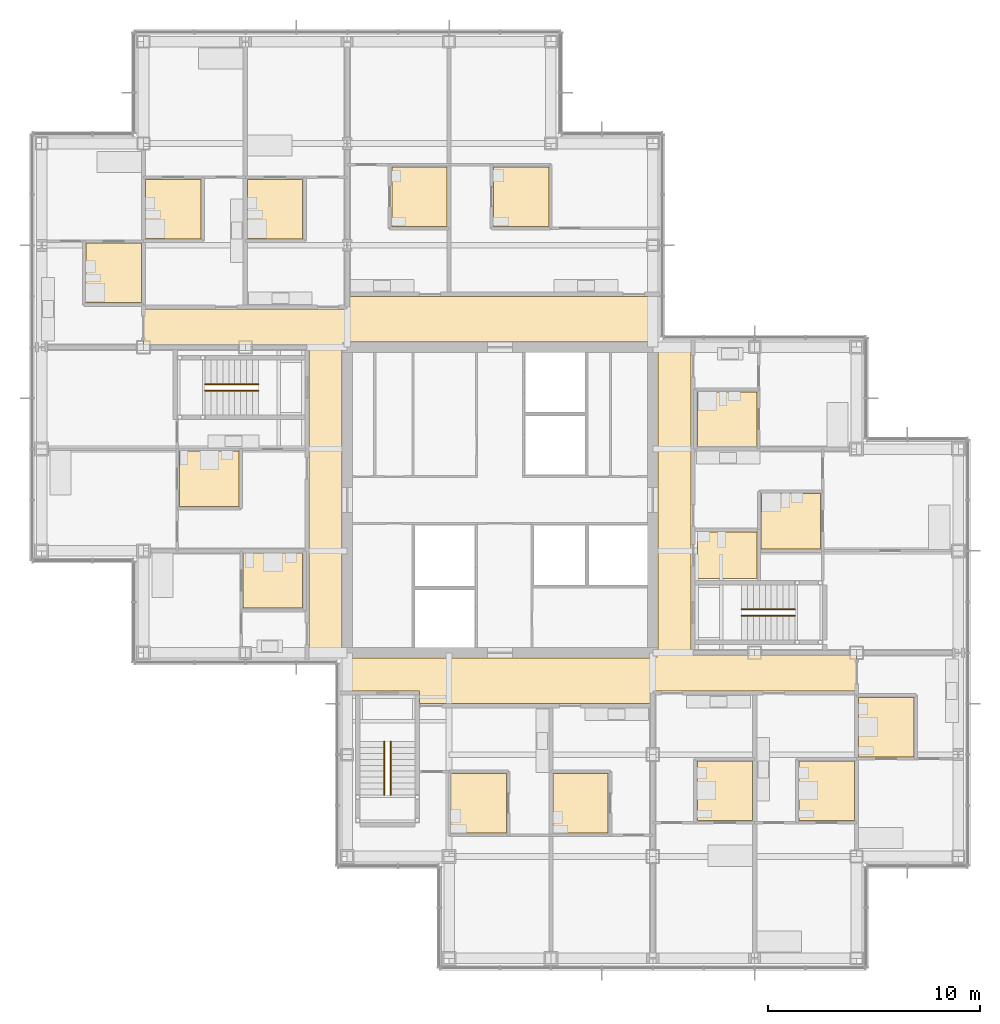
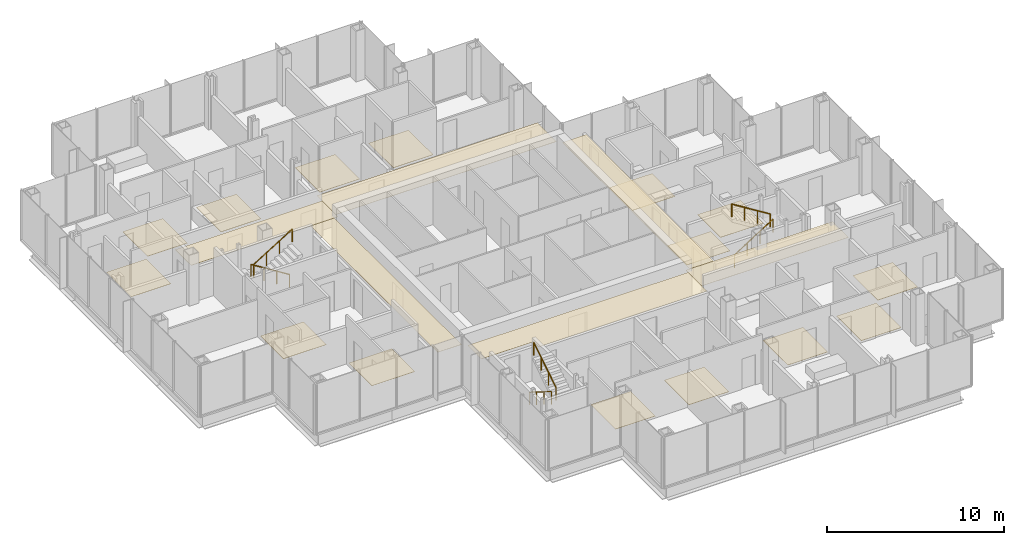
# One storey, part 18 of 20: 21 coverings, 6 railings.
"""IFC4 building model written with IfcOpenShell, lengths in metres."""

import ifcopenshell
import ifcopenshell.guid

model = None  # the IFC model being written
_history = None  # IfcOwnerHistory: only IFC2X3 demands one
_inside = {}  # id of a spatial element -> (the spatial element, [elements in it])
_under = {}  # id of a project, library or spatial element -> (it, [spatial elements below it])
_declared = {}  # id of a project -> (the project, [libraries it declares])
_typed = {}  # id of a type object -> (the type object, [elements of that type])
_made_of = {}  # id of a material, layer set ... -> (it, [elements and type objects made of it])


def new_model(schema):
    """Start an empty IFC model of exactly this schema.

    Asked for "IFC4X3", IfcOpenShell would pick the latest addendum, in which some entities
    have other attributes; the version numbers below select the first issue.
    IFC2X3 requires an IfcOwnerHistory on every rooted entity: one is made here for all.
    """
    global model, _history
    if schema == "IFC4X3":
        model = ifcopenshell.file(schema_version=(4, 3, 0, 0))
    else:
        model = ifcopenshell.file(schema=schema)
    _inside.clear()
    _under.clear()
    _declared.clear()
    _typed.clear()
    _made_of.clear()
    _history = None
    if model.schema == "IFC2X3":
        org = make("IfcOrganization", Name="unknown")
        user = make(
            "IfcPersonAndOrganization",
            ThePerson=make("IfcPerson", FamilyName="unknown"),
            TheOrganization=org,
        )
        app = make(
            "IfcApplication",
            ApplicationDeveloper=org,
            Version="unknown",
            ApplicationFullName="unknown",
            ApplicationIdentifier="unknown",
        )
        _history = make(
            "IfcOwnerHistory",
            OwningUser=user,
            OwningApplication=app,
            ChangeAction="ADDED",
            CreationDate=0,
        )
    return model


def make(cls, **values):
    """One entity of the class cls with the attributes given. An attribute that is None is left unset."""
    return model.create_entity(
        cls, **{name: value for name, value in values.items() if value is not None}
    )


def rooted(cls, **values):
    """An entity with a GlobalId (a new one), such as an element, a storey or a relation."""
    return make(cls, GlobalId=ifcopenshell.guid.new(), OwnerHistory=_history, **values)


def si_unit(unit_type, name, prefix=None):
    """IfcSIUnit, for example si_unit("LENGTHUNIT", "METRE", prefix="MILLI")."""
    return make("IfcSIUnit", UnitType=unit_type, Prefix=prefix, Name=name)


def assignment(units):
    """IfcUnitAssignment: the units of a project."""
    return None if units is None else make("IfcUnitAssignment", Units=units)


def point(xyz):
    """IfcCartesianPoint."""
    return None if xyz is None else make("IfcCartesianPoint", Coordinates=xyz)


def direction(xyz):
    """IfcDirection."""
    return None if xyz is None else make("IfcDirection", DirectionRatios=xyz)


def frame(location, z_axis=None, x_axis=None):
    """IfcAxis2Placement3D, a coordinate frame: its origin and axes. An axis left out is left unset."""
    return make(
        "IfcAxis2Placement3D",
        Location=point(location),
        Axis=direction(z_axis),
        RefDirection=direction(x_axis),
    )


def frame_2d(location, x_axis=None):
    """IfcAxis2Placement2D, a coordinate frame in the plane: its origin and x axis."""
    return make(
        "IfcAxis2Placement2D", Location=point(location), RefDirection=direction(x_axis)
    )


def origin():
    """The frame at (0, 0, 0) with its axes left unset."""
    return frame((0.0, 0.0, 0.0))


def origin_2d():
    """The frame at (0, 0) in the plane with its x axis left unset."""
    return frame_2d((0.0, 0.0))


def place(relative_to, where):
    """IfcLocalPlacement: puts the frame where relative to a parent placement (None: the world)."""
    return make(
        "IfcLocalPlacement", PlacementRelTo=relative_to, RelativePlacement=where
    )


def context(
    kind, dimensions, precision=None, world=None, true_north=None, identifier=None
):
    """IfcGeometricRepresentationContext, for example the 3D "Model" context."""
    return make(
        "IfcGeometricRepresentationContext",
        ContextIdentifier=identifier,
        ContextType=kind,
        CoordinateSpaceDimension=dimensions,
        Precision=precision,
        WorldCoordinateSystem=world,
        TrueNorth=true_north,
    )


def subcontext(parent, identifier, kind, view, scale=None):
    """IfcGeometricRepresentationSubContext, for example "Body" below "Model"."""
    return make(
        "IfcGeometricRepresentationSubContext",
        ContextIdentifier=identifier,
        ContextType=kind,
        ParentContext=parent,
        TargetScale=scale,
        TargetView=view,
    )


def project(units=None, contexts=None):
    """IfcProject with its units and contexts."""
    return rooted(
        "IfcProject",
        Name="project",
        RepresentationContexts=contexts,
        UnitsInContext=assignment(units),
    )


def spatial(cls, under=None, at=None, **own):
    """A site, building, storey or space (cls), placed at a placement, below another one or the project."""
    s = rooted(cls, ObjectPlacement=at, **own)
    if under is not None:
        _under.setdefault(under.id(), (under, []))[1].append(s)
    return s


def polyline(points):
    """IfcPolyline through the points."""
    return make("IfcPolyline", Points=[point(p) for p in points])


def profile(cls, at=None, kind="AREA", **sizes):
    """A parametric profile (cls). Its sizes go by their IFC names, for example OverallWidth=200.0."""
    return make(cls, ProfileType=kind, Position=at, **sizes)


def circle(**sizes):
    """IfcCircleProfileDef."""
    return profile("IfcCircleProfileDef", **sizes)


def outline(outer, holes=None, kind="AREA"):
    """IfcArbitraryClosedProfileDef: a profile drawn as a closed curve; with holes, ...WithVoids."""
    if holes is None:
        return make("IfcArbitraryClosedProfileDef", ProfileType=kind, OuterCurve=outer)
    return make(
        "IfcArbitraryProfileDefWithVoids",
        ProfileType=kind,
        OuterCurve=outer,
        InnerCurves=holes,
    )


def extrude(swept, where, along, depth):
    """IfcExtrudedAreaSolid: the profile swept, set in the frame where, extruded along a direction by depth."""
    return make(
        "IfcExtrudedAreaSolid",
        SweptArea=swept,
        Position=where,
        ExtrudedDirection=direction(along),
        Depth=depth,
    )


def shape(context_of_items, identifier, shape_type, items):
    """IfcShapeRepresentation: the items that make up one representation, for example the "Body"."""
    return make(
        "IfcShapeRepresentation",
        ContextOfItems=context_of_items,
        RepresentationIdentifier=identifier,
        RepresentationType=shape_type,
        Items=items,
    )


def material(Name=None, Category=None):
    """IfcMaterial."""
    return make("IfcMaterial", Name=Name, Category=Category)


def layer(
    of_material, thickness, ventilated=None, Name=None, Category=None, Priority=None
):
    """IfcMaterialLayer: one layer of a wall or slab, of a material (None: an air gap)."""
    return make(
        "IfcMaterialLayer",
        Material=of_material,
        LayerThickness=thickness,
        IsVentilated=ventilated,
        Name=Name,
        Category=Category,
        Priority=Priority,
    )


def layer_set(layers, Name=None):
    """IfcMaterialLayerSet."""
    return make("IfcMaterialLayerSet", MaterialLayers=layers, LayerSetName=Name)


def made_of(thing, what):
    """Note that an element or type object is made of a material, layer set ...; save() writes the relation."""
    if what is not None:
        _made_of.setdefault(what.id(), (what, []))[1].append(thing)
    return thing


def type_object(cls, material=None, **own):
    """A type object (cls), such as IfcWallType, which elements share."""
    return made_of(rooted(cls, **own), material)


def element(
    cls,
    number,
    at=None,
    inside=None,
    cuts=None,
    type_object=None,
    material=None,
    context=None,
    identifier="Body",
    shape_type=None,
    held_by="IfcProductDefinitionShape",
    body=None,
    shapes=None,
    **own,
):
    """One element of the class cls, such as IfcWall. Its Tag is "e" and its number.

    at: its placement. inside: the storey or other place that contains it. cuts: it is an
    opening in that element (IfcRelVoidsElement). A single representation is given by context,
    identifier, shape_type and body (its items); several are given by shapes. held_by: the class
    of the entity that holds the representations. save() writes the other relations.
    """
    e = rooted(cls, Tag="e%d" % number, ObjectPlacement=at, **own)
    if body is not None:
        shapes = [shape(context, identifier, shape_type, body)]
    if shapes is not None:
        e.Representation = make(held_by, Representations=shapes)
    if inside is not None:
        _inside.setdefault(inside.id(), (inside, []))[1].append(e)
    if cuts is not None:
        rooted(
            "IfcRelVoidsElement", RelatingBuildingElement=cuts, RelatedOpeningElement=e
        )
    if type_object is not None:
        _typed.setdefault(type_object.id(), (type_object, []))[1].append(e)
    return made_of(e, material)


def aggregate(whole, parts):
    """IfcRelAggregates: a whole, such as a stair, and the parts it consists of."""
    return rooted("IfcRelAggregates", RelatingObject=whole, RelatedObjects=parts)


def save(model, path):
    """Write the relations noted so far, then the file.

    IfcRelAggregates (storeys below a building ...), IfcRelContainedInSpatialStructure (elements
    in a storey), IfcRelDefinesByType, IfcRelAssociatesMaterial and IfcRelDeclares: one each for
    every whole, place, type object, material and project.
    """
    for whole, parts in _under.values():
        aggregate(whole, parts)
    for where, things in _inside.values():
        rooted(
            "IfcRelContainedInSpatialStructure",
            RelatedElements=things,
            RelatingStructure=where,
        )
    for kind, things in _typed.values():
        rooted("IfcRelDefinesByType", RelatedObjects=things, RelatingType=kind)
    for what, things in _made_of.values():
        rooted("IfcRelAssociatesMaterial", RelatedObjects=things, RelatingMaterial=what)
    for by, libraries in _declared.values():
        rooted("IfcRelDeclares", RelatingContext=by, RelatedDefinitions=libraries)
    model.write(path)


model = new_model("IFC4")

# Units and contexts
model_context = context("Model", 3, precision=1e-05, world=origin(), true_north=direction((0.0, 1.0)))
body_context = subcontext(model_context, "Body", "Model", "MODEL_VIEW")
ifc_project = project(units=[si_unit("LENGTHUNIT", "METRE"), si_unit("AREAUNIT", "SQUARE_METRE"), si_unit("VOLUMEUNIT", "CUBIC_METRE"), si_unit("PLANEANGLEUNIT", "RADIAN"), si_unit("MASSUNIT", "GRAM", prefix="KILO")], contexts=[model_context])

# Site, building, storey
site_placement = place(None, origin())
site = spatial("IfcSite", under=ifc_project, at=site_placement, CompositionType="ELEMENT")
building_placement = place(site_placement, origin())
building = spatial("IfcBuilding", under=site, at=building_placement, Name="Kvirike Care Tower", CompositionType="ELEMENT")
storey_placement = place(building_placement, frame((0.0, 0.0, 105.0)))
storey = spatial("IfcBuildingStorey", under=building, at=storey_placement, Name="L28", CompositionType="ELEMENT", Elevation=105.0)

# Coverings
ifc_material_1 = material(Name="Perforated metal ceiling tile", Category="aluminium")
ifc_layer_1 = layer(ifc_material_1, 0.014892578125)
ifc_layer_set_1 = layer_set([ifc_layer_1], Name="CORRIDOR CEILING 15")
covering_type_1 = type_object("IfcCoveringType", Name="CORRIDOR CEILING 15", PredefinedType="CEILING", material=ifc_layer_set_1)
covering_1_placement = place(storey_placement, frame((0.0, 0.0, 2.5)))
element("IfcCovering", 1, at=covering_1_placement, inside=storey, type_object=covering_type_1, Name="Corridor ceiling L28", PredefinedType="CEILING", context=body_context, shape_type="SweptSolid", body=[
    extrude(outline(polyline([(12.60009765625, 43.199951171875), (14.14990234375, 43.199951171875), (14.14990234375, 28.800048828125), (12.60009765625, 28.800048828125), (12.60009765625, 43.199951171875)])), origin(), (0.0, 0.0, 1.0), 0.014892578125),
])
covering_2_placement = place(storey_placement, frame((0.0, 0.0, 2.5)))
element("IfcCovering", 2, at=covering_2_placement, inside=storey, type_object=covering_type_1, Name="Corridor ceiling L28", PredefinedType="CEILING", context=body_context, shape_type="SweptSolid", body=[
    extrude(outline(polyline([(14.39990234375, 45.0), (14.39990234375, 43.199951171875), (4.800048828125, 43.199951171875), (4.800048828125, 45.0), (14.39990234375, 45.0)])), origin(), (0.0, 0.0, 1.0), 0.014892578125),
])
covering_3_placement = place(storey_placement, frame((0.0, 0.0, 2.5)))
element("IfcCovering", 3, at=covering_3_placement, inside=storey, type_object=covering_type_1, Name="Corridor ceiling L28", PredefinedType="CEILING", context=body_context, shape_type="SweptSolid", body=[
    extrude(outline(polyline([(14.39990234375, 28.550048828125), (28.800048828125, 28.550048828125), (28.800048828125, 26.39990234375), (17.800048828125, 26.39990234375), (17.800048828125, 27.0), (14.39990234375, 27.0), (14.39990234375, 28.550048828125)])), origin(), (0.0, 0.0, 1.0), 0.014892578125),
])
covering_4_placement = place(storey_placement, frame((0.0, 0.0, 2.5)))
element("IfcCovering", 4, at=covering_4_placement, inside=storey, type_object=covering_type_1, Name="Corridor ceiling L28", PredefinedType="CEILING", context=body_context, shape_type="SweptSolid", body=[
    extrude(outline(polyline([(28.800048828125, 45.60009765625), (28.800048828125, 43.449951171875), (14.39990234375, 43.449951171875), (14.39990234375, 45.60009765625), (28.800048828125, 45.60009765625)])), origin(), (0.0, 0.0, 1.0), 0.014892578125),
])
covering_5_placement = place(storey_placement, frame((0.0, 0.0, 2.5)))
element("IfcCovering", 5, at=covering_5_placement, inside=storey, type_object=covering_type_1, Name="Corridor ceiling L28", PredefinedType="CEILING", context=body_context, shape_type="SweptSolid", body=[
    extrude(outline(polyline([(28.800048828125, 27.0), (28.800048828125, 28.800048828125), (38.39990234375, 28.800048828125), (38.39990234375, 27.0), (28.800048828125, 27.0)])), origin(), (0.0, 0.0, 1.0), 0.014892578125),
])
covering_6_placement = place(storey_placement, frame((0.0, 0.0, 2.5)))
element("IfcCovering", 6, at=covering_6_placement, inside=storey, type_object=covering_type_1, Name="Corridor ceiling L28", PredefinedType="CEILING", context=body_context, shape_type="SweptSolid", body=[
    extrude(outline(polyline([(30.60009765625, 28.800048828125), (29.050048828125, 28.800048828125), (29.050048828125, 43.199951171875), (30.60009765625, 43.199951171875), (30.60009765625, 28.800048828125)])), origin(), (0.0, 0.0, 1.0), 0.014892578125),
])

# Railings
ifc_material_2 = material(Name="Stainless steel handrail", Category="steel")
railing_type = type_object("IfcRailingType", Name="STAIR HANDRAIL 900", PredefinedType="HANDRAIL", material=ifc_material_2)
railing_1_placement = place(storey_placement, frame((10.219970703125, 41.449951171875, 0.175048828125)))
element("IfcRailing", 7, at=railing_1_placement, inside=storey, type_object=railing_type, Name="Stair 1 handrail L28 flight 1", PredefinedType="HANDRAIL", context=body_context, shape_type="SweptSolid", body=[
    extrude(circle(Radius=0.02490234375, at=origin_2d()), frame((0.0, 0.0, 0.875), z_axis=(-0.848007534815, 0.0, 0.529984170421), x_axis=(0.0, -1.0, 0.0)), (0.0, 0.0, 1.0), 2.9716796875),
    extrude(circle(Radius=0.02001953125, at=origin_2d()), origin(), (0.0, 0.0, 1.0), 0.849853515625),
    extrude(circle(Radius=0.02001953125, at=origin_2d()), frame((-0.840087890625, 0.0, 0.52490234375)), (0.0, 0.0, 1.0), 0.849853515625),
    extrude(circle(Radius=0.02001953125, at=origin_2d()), frame((-1.679931640625, 0.0, 1.050048828125)), (0.0, 0.0, 1.0), 0.849853515625),
    extrude(circle(Radius=0.02001953125, at=origin_2d()), frame((-2.52001953125, 0.0, 1.574951171875)), (0.0, 0.0, 1.0), 0.849853515625),
])
for number, where, name in (
    (8, (7.699951171875, 41.14990234375, 1.925048828125), "Stair 1 handrail L28 flight 2"),
    (9, (32.97998046875, 30.550048828125, 0.175048828125), "Stair 2 handrail L28 flight 1"),
):
    element("IfcRailing", number, at=place(storey_placement, frame(where)), inside=storey, type_object=railing_type, Name=name, PredefinedType="HANDRAIL", context=body_context, shape_type="SweptSolid", body=[
        extrude(circle(Radius=0.02490234375, at=origin_2d()), frame((0.0, 0.0, 0.875), z_axis=(0.848007534815, 0.0, 0.529984170421), x_axis=(0.0, 1.0, 0.0)), (0.0, 0.0, 1.0), 2.9716796875),
        extrude(circle(Radius=0.02001953125, at=origin_2d()), origin(), (0.0, 0.0, 1.0), 0.849853515625),
        extrude(circle(Radius=0.02001953125, at=origin_2d()), frame((0.840087890625, 0.0, 0.52490234375)), (0.0, 0.0, 1.0), 0.849853515625),
        extrude(circle(Radius=0.02001953125, at=origin_2d()), frame((1.679931640625, 0.0, 1.050048828125)), (0.0, 0.0, 1.0), 0.849853515625),
        extrude(circle(Radius=0.02001953125, at=origin_2d()), frame((2.52001953125, 0.0, 1.574951171875)), (0.0, 0.0, 1.0), 0.849853515625),
    ])
railing_2_placement = place(storey_placement, frame((35.5, 30.85009765625, 1.925048828125)))
element("IfcRailing", 10, at=railing_2_placement, inside=storey, type_object=railing_type, Name="Stair 2 handrail L28 flight 2", PredefinedType="HANDRAIL", context=body_context, shape_type="SweptSolid", body=[
    extrude(circle(Radius=0.02490234375, at=origin_2d()), frame((0.0, 0.0, 0.875), z_axis=(-0.848007534815, 0.0, 0.529984170421), x_axis=(0.0, -1.0, 0.0)), (0.0, 0.0, 1.0), 2.9716796875),
    extrude(circle(Radius=0.02001953125, at=origin_2d()), origin(), (0.0, 0.0, 1.0), 0.849853515625),
    extrude(circle(Radius=0.02001953125, at=origin_2d()), frame((-0.840087890625, 0.0, 0.52490234375)), (0.0, 0.0, 1.0), 0.849853515625),
    extrude(circle(Radius=0.02001953125, at=origin_2d()), frame((-1.679931640625, 0.0, 1.050048828125)), (0.0, 0.0, 1.0), 0.849853515625),
    extrude(circle(Radius=0.02001953125, at=origin_2d()), frame((-2.52001953125, 0.0, 1.574951171875)), (0.0, 0.0, 1.0), 0.849853515625),
])
railing_3_placement = place(storey_placement, frame((16.14990234375, 24.6201171875, 0.175048828125)))
element("IfcRailing", 11, at=railing_3_placement, inside=storey, type_object=railing_type, Name="Stair 5 handrail L28 flight 1", PredefinedType="HANDRAIL", context=body_context, shape_type="SweptSolid", body=[
    extrude(circle(Radius=0.02490234375, at=origin_2d()), frame((0.0, 0.0, 0.875), z_axis=(0.0, -0.848007534815, 0.529984170421), x_axis=(1.0, 0.0, 0.0)), (0.0, 0.0, 1.0), 2.9716796875),
    extrude(circle(Radius=0.02001953125, at=origin_2d()), origin(), (0.0, 0.0, 1.0), 0.849853515625),
    extrude(circle(Radius=0.02001953125, at=origin_2d()), frame((0.0, -0.840087890625, 0.52490234375)), (0.0, 0.0, 1.0), 0.849853515625),
    extrude(circle(Radius=0.02001953125, at=origin_2d()), frame((0.0, -1.679931640625, 1.050048828125)), (0.0, 0.0, 1.0), 0.849853515625),
    extrude(circle(Radius=0.02001953125, at=origin_2d()), frame((0.0, -2.52001953125, 1.574951171875)), (0.0, 0.0, 1.0), 0.849853515625),
])
railing_4_placement = place(storey_placement, frame((16.449951171875, 22.10009765625, 1.925048828125)))
element("IfcRailing", 12, at=railing_4_placement, inside=storey, type_object=railing_type, Name="Stair 5 handrail L28 flight 2", PredefinedType="HANDRAIL", context=body_context, shape_type="SweptSolid", body=[
    extrude(circle(Radius=0.02490234375, at=origin_2d()), frame((0.0, 0.0, 0.875), z_axis=(0.0, 0.848007534815, 0.529984170421), x_axis=(-1.0, 0.0, 0.0)), (0.0, 0.0, 1.0), 2.9716796875),
    extrude(circle(Radius=0.02001953125, at=origin_2d()), origin(), (0.0, 0.0, 1.0), 0.849853515625),
    extrude(circle(Radius=0.02001953125, at=origin_2d()), frame((0.0, 0.840087890625, 0.52490234375)), (0.0, 0.0, 1.0), 0.849853515625),
    extrude(circle(Radius=0.02001953125, at=origin_2d()), frame((0.0, 1.679931640625, 1.050048828125)), (0.0, 0.0, 1.0), 0.849853515625),
    extrude(circle(Radius=0.02001953125, at=origin_2d()), frame((0.0, 2.52001953125, 1.574951171875)), (0.0, 0.0, 1.0), 0.849853515625),
])

# Coverings
ifc_material_3 = material(Name="Slip-resistant vinyl safety flooring on screed")
ifc_layer_2 = layer(ifc_material_3, 0.02001953125)
ifc_layer_set_2 = layer_set([ifc_layer_2], Name="WET ROOM FLOOR 20")
covering_type_2 = type_object("IfcCoveringType", Name="WET ROOM FLOOR 20", PredefinedType="FLOORING", material=ifc_layer_set_2)
covering_7_placement = place(storey_placement, origin())
element("IfcCovering", 13, at=covering_7_placement, inside=storey, type_object=covering_type_2, Name="En-suite floor L28-005", PredefinedType="FLOORING", context=body_context, shape_type="SweptSolid", body=[
    extrude(outline(polyline([(6.5, 38.300048828125), (9.300048828125, 38.300048828125), (9.300048828125, 35.699951171875), (6.5, 35.699951171875), (6.5, 38.300048828125)])), origin(), (0.0, 0.0, 1.0), 0.02001953125),
])
covering_8_placement = place(storey_placement, origin())
element("IfcCovering", 14, at=covering_8_placement, inside=storey, type_object=covering_type_2, Name="En-suite floor L28-009", PredefinedType="FLOORING", context=body_context, shape_type="SweptSolid", body=[
    extrude(outline(polyline([(9.5, 33.5), (12.300048828125, 33.5), (12.300048828125, 30.89990234375), (9.5, 30.89990234375), (9.5, 33.5)])), origin(), (0.0, 0.0, 1.0), 0.02001953125),
])
covering_9_placement = place(storey_placement, origin())
element("IfcCovering", 15, at=covering_9_placement, inside=storey, type_object=covering_type_2, Name="En-suite floor L28-013", PredefinedType="FLOORING", context=body_context, shape_type="SweptSolid", body=[
    extrude(outline(polyline([(12.300048828125, 51.10009765625), (12.300048828125, 48.300048828125), (9.699951171875, 48.300048828125), (9.699951171875, 51.10009765625), (12.300048828125, 51.10009765625)])), origin(), (0.0, 0.0, 1.0), 0.02001953125),
])
covering_10_placement = place(storey_placement, origin())
element("IfcCovering", 16, at=covering_10_placement, inside=storey, type_object=covering_type_2, Name="En-suite floor L28-016", PredefinedType="FLOORING", context=body_context, shape_type="SweptSolid", body=[
    extrude(outline(polyline([(7.5, 51.10009765625), (7.5, 48.300048828125), (4.89990234375, 48.300048828125), (4.89990234375, 51.10009765625), (7.5, 51.10009765625)])), origin(), (0.0, 0.0, 1.0), 0.02001953125),
])
covering_11_placement = place(storey_placement, origin())
element("IfcCovering", 17, at=covering_11_placement, inside=storey, type_object=covering_type_2, Name="En-suite floor L28-019", PredefinedType="FLOORING", context=body_context, shape_type="SweptSolid", body=[
    extrude(outline(polyline([(4.699951171875, 48.10009765625), (4.699951171875, 45.300048828125), (2.10009765625, 45.300048828125), (2.10009765625, 48.10009765625), (4.699951171875, 48.10009765625)])), origin(), (0.0, 0.0, 1.0), 0.02001953125),
])
covering_12_placement = place(storey_placement, origin())
element("IfcCovering", 18, at=covering_12_placement, inside=storey, type_object=covering_type_2, Name="Accessible WC floor L28-024", PredefinedType="FLOORING", context=body_context, shape_type="SweptSolid", body=[
    extrude(outline(polyline([(19.300048828125, 20.300048828125), (19.300048828125, 23.10009765625), (21.89990234375, 23.10009765625), (21.89990234375, 20.300048828125), (19.300048828125, 20.300048828125)])), origin(), (0.0, 0.0, 1.0), 0.02001953125),
])
covering_13_placement = place(storey_placement, origin())
element("IfcCovering", 19, at=covering_13_placement, inside=storey, type_object=covering_type_2, Name="Staff WC floor L28-027", PredefinedType="FLOORING", context=body_context, shape_type="SweptSolid", body=[
    extrude(outline(polyline([(24.10009765625, 20.300048828125), (24.10009765625, 23.10009765625), (26.699951171875, 23.10009765625), (26.699951171875, 20.300048828125), (24.10009765625, 20.300048828125)])), origin(), (0.0, 0.0, 1.0), 0.02001953125),
])
covering_14_placement = place(storey_placement, origin())
element("IfcCovering", 20, at=covering_14_placement, inside=storey, type_object=covering_type_2, Name="Accessible WC floor L28-031", PredefinedType="FLOORING", context=body_context, shape_type="SweptSolid", body=[
    extrude(outline(polyline([(23.89990234375, 51.699951171875), (23.89990234375, 48.89990234375), (21.300048828125, 48.89990234375), (21.300048828125, 51.699951171875), (23.89990234375, 51.699951171875)])), origin(), (0.0, 0.0, 1.0), 0.02001953125),
])
covering_15_placement = place(storey_placement, origin())
element("IfcCovering", 21, at=covering_15_placement, inside=storey, type_object=covering_type_2, Name="Staff WC floor L28-034", PredefinedType="FLOORING", context=body_context, shape_type="SweptSolid", body=[
    extrude(outline(polyline([(19.10009765625, 51.699951171875), (19.10009765625, 48.89990234375), (16.5, 48.89990234375), (16.5, 51.699951171875), (19.10009765625, 51.699951171875)])), origin(), (0.0, 0.0, 1.0), 0.02001953125),
])
covering_16_placement = place(storey_placement, origin())
element("IfcCovering", 22, at=covering_16_placement, inside=storey, type_object=covering_type_2, Name="En-suite floor L28-038", PredefinedType="FLOORING", context=body_context, shape_type="SweptSolid", body=[
    extrude(outline(polyline([(30.89990234375, 20.89990234375), (30.89990234375, 23.699951171875), (33.5, 23.699951171875), (33.5, 20.89990234375), (30.89990234375, 20.89990234375)])), origin(), (0.0, 0.0, 1.0), 0.02001953125),
])
covering_17_placement = place(storey_placement, origin())
element("IfcCovering", 23, at=covering_17_placement, inside=storey, type_object=covering_type_2, Name="En-suite floor L28-041", PredefinedType="FLOORING", context=body_context, shape_type="SweptSolid", body=[
    extrude(outline(polyline([(35.699951171875, 20.89990234375), (35.699951171875, 23.699951171875), (38.300048828125, 23.699951171875), (38.300048828125, 20.89990234375), (35.699951171875, 20.89990234375)])), origin(), (0.0, 0.0, 1.0), 0.02001953125),
])
covering_18_placement = place(storey_placement, origin())
element("IfcCovering", 24, at=covering_18_placement, inside=storey, type_object=covering_type_2, Name="En-suite floor L28-044", PredefinedType="FLOORING", context=body_context, shape_type="SweptSolid", body=[
    extrude(outline(polyline([(38.5, 23.89990234375), (38.5, 26.699951171875), (41.10009765625, 26.699951171875), (41.10009765625, 23.89990234375), (38.5, 23.89990234375)])), origin(), (0.0, 0.0, 1.0), 0.02001953125),
])
covering_19_placement = place(storey_placement, origin())
element("IfcCovering", 25, at=covering_19_placement, inside=storey, type_object=covering_type_2, Name="Accessible WC floor L28-050", PredefinedType="FLOORING", context=body_context, shape_type="SweptSolid", body=[
    extrude(outline(polyline([(33.699951171875, 32.300048828125), (30.89990234375, 32.300048828125), (30.89990234375, 34.5), (33.699951171875, 34.5), (33.699951171875, 32.300048828125)])), origin(), (0.0, 0.0, 1.0), 0.02001953125),
])
covering_20_placement = place(storey_placement, origin())
element("IfcCovering", 26, at=covering_20_placement, inside=storey, type_object=covering_type_2, Name="En-suite floor L28-051", PredefinedType="FLOORING", context=body_context, shape_type="SweptSolid", body=[
    extrude(outline(polyline([(36.699951171875, 33.699951171875), (33.89990234375, 33.699951171875), (33.89990234375, 36.300048828125), (36.699951171875, 36.300048828125), (36.699951171875, 33.699951171875)])), origin(), (0.0, 0.0, 1.0), 0.02001953125),
])
covering_21_placement = place(storey_placement, origin())
element("IfcCovering", 27, at=covering_21_placement, inside=storey, type_object=covering_type_2, Name="En-suite floor L28-054", PredefinedType="FLOORING", context=body_context, shape_type="SweptSolid", body=[
    extrude(outline(polyline([(33.699951171875, 38.5), (30.89990234375, 38.5), (30.89990234375, 41.10009765625), (33.699951171875, 41.10009765625), (33.699951171875, 38.5)])), origin(), (0.0, 0.0, 1.0), 0.02001953125),
])

save(model, "model.ifc")
